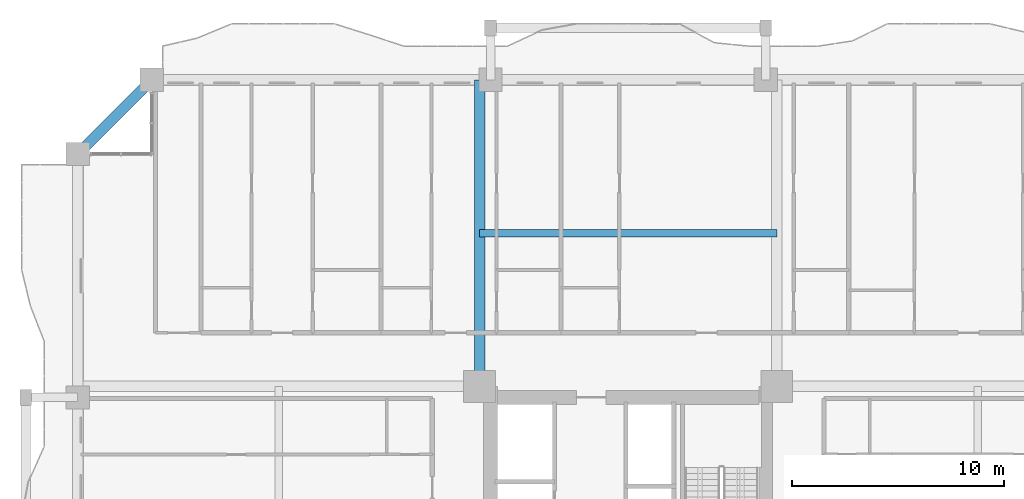
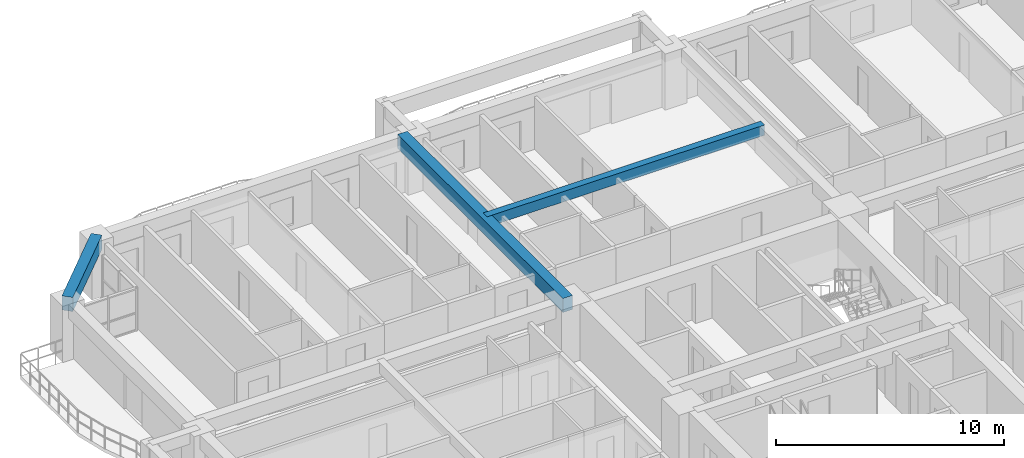
# One storey, part 7 of 28: 3 beams.
"""IFC4 building model written with IfcOpenShell, lengths in metres."""

from ifc_helpers import new_model, si_unit, direction, frame, origin, origin_2d, place, context, subcontext, project, spatial, rectangle, extrude, source, transform, mapped, material, material_profile, profile_set, type_object, element, save


model = new_model("IFC4")

# Units and contexts
model_context = context("Model", 3, precision=1e-05, world=origin(), true_north=direction((0.0, 1.0)))
body_context = subcontext(model_context, "Body", "Model", "MODEL_VIEW")
ifc_project = project(units=[si_unit("LENGTHUNIT", "METRE"), si_unit("AREAUNIT", "SQUARE_METRE"), si_unit("VOLUMEUNIT", "CUBIC_METRE"), si_unit("PLANEANGLEUNIT", "RADIAN"), si_unit("MASSUNIT", "GRAM", prefix="KILO")], contexts=[model_context])

# Site, building, storey
site_placement = place(None, origin())
site = spatial("IfcSite", under=ifc_project, at=site_placement, CompositionType="ELEMENT")
building_placement = place(site_placement, origin())
building = spatial("IfcBuilding", under=site, at=building_placement, Name="Saelheon Loggia Tower", CompositionType="ELEMENT")
storey_placement = place(building_placement, frame((0.0, 0.0, 61.39990234375)))
storey = spatial("IfcBuildingStorey", under=building, at=storey_placement, Name="L19", CompositionType="ELEMENT", Elevation=61.39990234375)

# Beams
ifc_material_1 = material(Name="Concrete C45/55", Category="concrete")
ifc_material_profile_1 = material_profile(ifc_material_1, rectangle(XDim=0.5, YDim=0.75, at=origin_2d()), Name="RC-500x750")
ifc_profile_set_1 = profile_set([ifc_material_profile_1], Name="Concrete C45/55")
beam_type_1 = type_object("IfcBeamType", Name="Beam_FloorGirder_RC500x750", PredefinedType="BEAM", material=ifc_profile_set_1)
shared_shape_1 = source(origin(), body_context, "Body", "SweptSolid", [
    extrude(rectangle(XDim=0.5, YDim=0.75, at=origin_2d()), origin(), (0.0, 0.0, 1.0), 14.47998046875),
])
beam_1_placement = place(storey_placement, frame((30.97998046875, 36.52001953125, 2.625), z_axis=(0.0, 1.0, 0.0), x_axis=(-1.0, 0.0, 0.0)))
element("IfcBeam", 1, at=beam_1_placement, inside=storey, type_object=beam_type_1, Name="L19 Radial Floor Girder RAD-NW-N", PredefinedType="BEAM", context=body_context, shape_type="MappedRepresentation", body=[
    mapped(shared_shape_1, transform((0.0, 0.0, 0.0), scale=1.0)),
])
ifc_material_profile_2 = material_profile(ifc_material_1, rectangle(XDim=0.5, YDim=0.75, at=origin_2d()), Name="RC-500x750")
ifc_profile_set_2 = profile_set([ifc_material_profile_2], Name="Concrete C45/55")
beam_type_2 = type_object("IfcBeamType", Name="Beam_PerimGirder_RC500x750", PredefinedType="BEAM", material=ifc_profile_set_2)
shared_shape_2 = source(origin(), body_context, "Body", "SweptSolid", [
    extrude(rectangle(XDim=0.5, YDim=0.75, at=origin_2d()), origin(), (0.0, 0.0, 1.0), 4.94970703125),
])
beam_2_placement = place(storey_placement, frame((15.5, 51.0, 2.625), z_axis=(-0.707106781187, -0.707106781187, 0.0), x_axis=(0.707106781187, -0.707106781187, 0.0)))
element("IfcBeam", 2, at=beam_2_placement, inside=storey, type_object=beam_type_2, Name="L19 Perimeter Frame Girder 12", PredefinedType="BEAM", context=body_context, shape_type="MappedRepresentation", body=[
    mapped(shared_shape_2, transform((0.0, 0.0, 0.0), scale=1.0)),
])
ifc_material_2 = material(Name="Concrete C40/50", Category="concrete")
ifc_material_profile_3 = material_profile(ifc_material_2, rectangle(XDim=0.35009765625, YDim=0.550048828125, at=origin_2d()), Name="RC-350x550")
ifc_profile_set_3 = profile_set([ifc_material_profile_3], Name="Concrete C40/50")
beam_type_3 = type_object("IfcBeamType", Name="Beam_Joist_RC350x550", PredefinedType="JOIST", material=ifc_profile_set_3)
shared_shape_3 = source(origin(), body_context, "Body", "SweptSolid", [
    extrude(rectangle(XDim=0.35009765625, YDim=0.550048828125, at=origin_2d()), origin(), (0.0, 0.0, 1.0), 14.0400390625),
])
beam_3_placement = place(storey_placement, frame((30.97998046875, 43.760009765625, 2.72509765625), z_axis=(1.0, 0.0, 0.0), x_axis=(0.0, 1.0, 0.0)))
element("IfcBeam", 3, at=beam_3_placement, inside=storey, type_object=beam_type_3, Name="L19 North Floor Joist", PredefinedType="JOIST", context=body_context, shape_type="MappedRepresentation", body=[
    mapped(shared_shape_3, transform((0.0, 0.0, 0.0), scale=1.0)),
])

save(model, "model.ifc")
